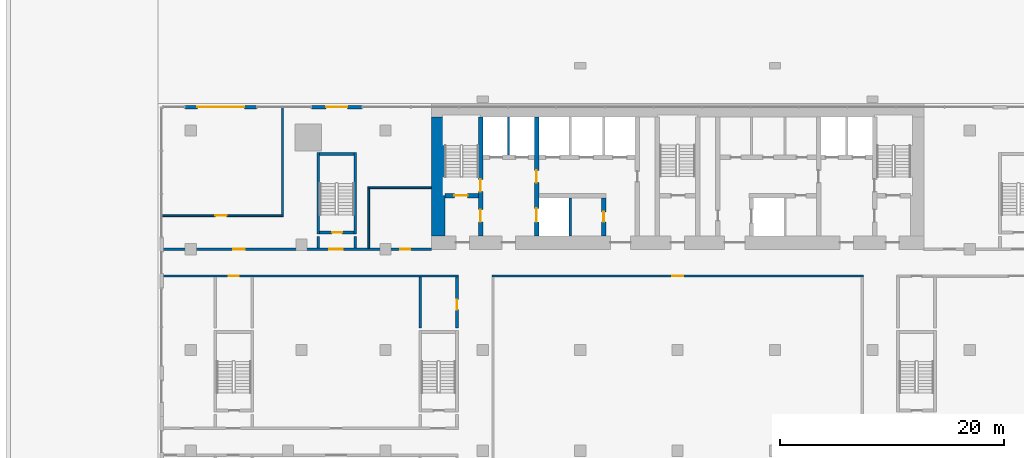
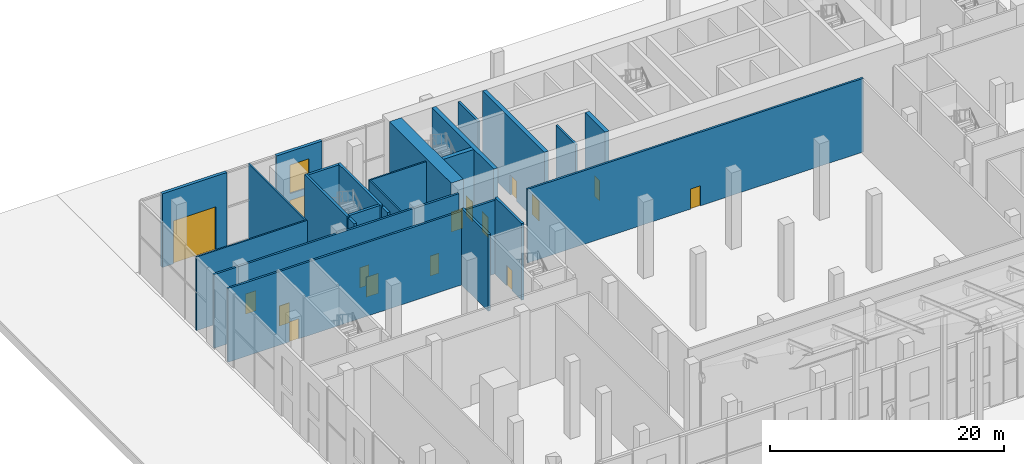
# One storey, part 24 of 31: 24 walls, 16 doors, 1 window, 17 openings.
"""IFC4 building model written with IfcOpenShell, lengths in metres."""

from ifc_helpers import new_model, si_unit, direction, frame, frame_2d, origin, place, context, subcontext, project, spatial, rectangle, extrude, material, layer, layer_set, layer_usage, type_object, element, fill, save


model = new_model("IFC4")

# Units and contexts
model_context = context("Model", 3, precision=1e-05, world=origin(), true_north=direction((0.0, 1.0)))
body_context = subcontext(model_context, "Body", "Model", "MODEL_VIEW")
ifc_project = project(units=[si_unit("LENGTHUNIT", "METRE"), si_unit("AREAUNIT", "SQUARE_METRE"), si_unit("VOLUMEUNIT", "CUBIC_METRE"), si_unit("PLANEANGLEUNIT", "RADIAN"), si_unit("MASSUNIT", "GRAM", prefix="KILO")], contexts=[model_context])

# Site, building, storey
site_placement = place(None, origin())
site = spatial("IfcSite", under=ifc_project, at=site_placement, CompositionType="ELEMENT")
building_placement = place(site_placement, origin())
building = spatial("IfcBuilding", under=site, at=building_placement, Name="Bicima Exchange Tower", CompositionType="ELEMENT")
storey_placement = place(building_placement, origin())
storey = spatial("IfcBuildingStorey", under=building, at=storey_placement, Name="L00", CompositionType="ELEMENT", Elevation=0.0)

# Wall, openings, window, door
ifc_material_1 = material(Name="Concrete C40/50", Category="concrete")
ifc_layer_1 = layer(ifc_material_1, 0.3)
ifc_layer_set_1 = layer_set([ifc_layer_1], Name="Concrete C40/50")
ifc_layer_usage = layer_usage(ifc_layer_set_1, "AXIS2", "POSITIVE", -0.15)
wall_type_1 = type_object("IfcWallType", Name="Entrance frame wall 300", PredefinedType="STANDARD", material=ifc_layer_set_1)
wall_1_placement = place(storey_placement, frame((-32.699951171875, -0.300048828125, 0.0), z_axis=(0.0, 0.0, 1.0), x_axis=(1.0, 0.0, 0.0)))
wall_1 = element("IfcWall", 1, at=wall_1_placement, inside=storey, type_object=wall_type_1, material=ifc_layer_usage, Name="Entrance frame wall L00 north 6", PredefinedType="STANDARD", context=body_context, shape_type="SweptSolid", body=[
    extrude(rectangle(XDim=4.5, YDim=0.300048828125, at=frame_2d((2.25, 0.0))), origin(), (0.0, 0.0, 1.0), 7.699951171875),
])
opening_1_placement = place(wall_1_placement, frame((1.300048828125, 0.0, 0.0)))
opening_1 = element("IfcOpeningElement", 2, at=opening_1_placement, cuts=wall_1, Name="Opening DX2", PredefinedType="OPENING", context=body_context, shape_type="SweptSolid", body=[
    extrude(rectangle(XDim=1.89990234375, YDim=2.60009765625, at=frame_2d((0.949951171875, 1.300048828125))), frame((0.0, 0.162109375, 0.0), z_axis=(0.0, -1.0, 0.0), x_axis=(1.0, 0.0, 0.0)), (0.0, 0.0, 1.0), 0.323974609375),
])
opening_2_placement = place(wall_1_placement, frame((1.300048828125, 0.0, 3.300048828125)))
opening_2 = element("IfcOpeningElement", 3, at=opening_2_placement, cuts=wall_1, Name="Opening WX1", PredefinedType="OPENING", context=body_context, shape_type="SweptSolid", body=[
    extrude(rectangle(XDim=1.89990234375, YDim=3.0, at=frame_2d((0.949951171875, 1.5))), frame((0.0, 0.162109375, 0.0), z_axis=(0.0, -1.0, 0.0), x_axis=(1.0, 0.0, 0.0)), (0.0, 0.0, 1.0), 0.323974609375),
])
ifc_material_2 = material(Name="Clear low-iron glass", Category="glass")
window_type = type_object("IfcWindowType", Name="Entrance transom light 1900 x 3000", PartitioningType="SINGLE_PANEL", PredefinedType="WINDOW", material=ifc_material_2)
window_placement = place(opening_2_placement, origin())
window = element("IfcWindow", 4, at=window_placement, inside=storey, type_object=window_type, Name="Entrance transom light L00 north 6", OverallHeight=3.0, OverallWidth=1.89990234375, PartitioningType="SINGLE_PANEL", PredefinedType="WINDOW", context=body_context, shape_type="SweptSolid", body=[
    extrude(rectangle(XDim=1.89990234375, YDim=3.0, at=frame_2d((0.949951171875, 1.5))), frame((0.0, 0.030029296875, 0.0), z_axis=(0.0, -1.0, 0.0), x_axis=(1.0, 0.0, 0.0)), (0.0, 0.0, 1.0), 0.06005859375),
])
fill(opening_2, window)
ifc_material_3 = material(Name="Anodised bronze aluminium and bonded safety glass", Category="aluminium")
door_type_1 = type_object("IfcDoorType", Name="Exit door, double leaf 1900 x 2600", OperationType="DOUBLE_DOOR_DOUBLE_SWING", PredefinedType="DOOR", material=ifc_material_3)
door_1_placement = place(opening_1_placement, origin())
door_1 = element("IfcDoor", 5, at=door_1_placement, inside=storey, type_object=door_type_1, Name="Exit door L00 north 6", OperationType="SINGLE_SWING_LEFT", OverallHeight=2.60009765625, OverallWidth=1.89990234375, PredefinedType="DOOR", context=body_context, shape_type="SweptSolid", body=[
    extrude(rectangle(XDim=1.89990234375, YDim=2.60009765625, at=frame_2d((0.949951171875, 1.300048828125))), frame((0.0, 0.02490234375, 0.0), z_axis=(0.0, -1.0, 0.0), x_axis=(1.0, 0.0, 0.0)), (0.0, 0.0, 1.0), 0.050048828125),
])
fill(opening_1, door_1)

# Wall, opening, door
wall_2_placement = place(storey_placement, frame((-44.0, -0.300048828125, 0.0), z_axis=(0.0, 0.0, 1.0), x_axis=(1.0, 0.0, 0.0)))
wall_2 = element("IfcWall", 6, at=wall_2_placement, inside=storey, type_object=wall_type_1, material=ifc_layer_usage, Name="Loading dock frame wall L00", PredefinedType="STANDARD", context=body_context, shape_type="SweptSolid", body=[
    extrude(rectangle(XDim=6.39990234375, YDim=0.300048828125, at=frame_2d((3.199951171875, 0.0))), origin(), (0.0, 0.0, 1.0), 7.699951171875),
])
opening_3_placement = place(wall_2_placement, frame((1.10009765625, 0.0, 0.0)))
opening_3 = element("IfcOpeningElement", 7, at=opening_3_placement, cuts=wall_2, Name="Opening VG42", PredefinedType="OPENING", context=body_context, shape_type="SweptSolid", body=[
    extrude(rectangle(XDim=4.199951171875, YDim=4.5, at=frame_2d((2.10009765625, 2.25))), frame((0.0, 0.162109375, 0.0), z_axis=(0.0, -1.0, 0.0), x_axis=(1.0, 0.0, 0.0)), (0.0, 0.0, 1.0), 0.323974609375),
])
ifc_material_4 = material(Name="Steel roller shutter", Category="steel")
door_type_2 = type_object("IfcDoorType", Name="Loading dock roller door 4200 x 4500", OperationType="ROLLINGUP", PredefinedType="GATE", material=ifc_material_4)
door_2_placement = place(opening_3_placement, origin())
door_2 = element("IfcDoor", 8, at=door_2_placement, inside=storey, type_object=door_type_2, Name="Loading dock door L00", OperationType="SINGLE_SWING_LEFT", OverallHeight=4.5, OverallWidth=4.199951171875, PredefinedType="GATE", context=body_context, shape_type="SweptSolid", body=[
    extrude(rectangle(XDim=4.199951171875, YDim=4.5, at=frame_2d((2.10009765625, 2.25))), frame((0.0, 0.02490234375, 0.0), z_axis=(0.0, -1.0, 0.0), x_axis=(1.0, 0.0, 0.0)), (0.0, 0.0, 1.0), 0.050048828125),
])
fill(opening_3, door_2)

# Walls
ifc_material_5 = material(Name="Gypsum board partition")
ifc_layer_2 = layer(ifc_material_5, 0.199951171875)
ifc_layer_set_2 = layer_set([ifc_layer_2], Name="Gypsum board partition")
wall_type_2 = type_object("IfcWallType", Name="Fire-rated gypsum partition 200 EI120", PredefinedType="PARTITIONING", material=ifc_layer_set_2)
for number, where, z_axis, x_axis, name in (
    (9, (-15.10009765625, -4.60009765625, 0.0), (0.0, 0.0, 1.0), (0.0, 1.0, 0.0), "partition wall 9"),
    (10, (-9.60009765625, -11.800048828125, 0.0), (0.0, 0.0, 1.0), (0.0, 1.0, 0.0), "partition wall 11"),
):
    element("IfcWall", number, at=place(storey_placement, frame(where, z_axis=z_axis, x_axis=x_axis)), inside=storey, type_object=wall_type_2, Name=name, PredefinedType="PARTITIONING", context=body_context, shape_type="SweptSolid", body=[
        extrude(rectangle(XDim=3.400146484375, YDim=0.199951171875, at=frame_2d((1.7001953125, 0.0))), origin(), (0.0, 0.0, 1.0), 7.699951171875),
    ])

# Wall, opening, door
ifc_layer_3 = layer(ifc_material_5, 0.199951171875)
ifc_layer_set_3 = layer_set([ifc_layer_3], Name="Gypsum board partition")
wall_type_3 = type_object("IfcWallType", Name="Fire-rated gypsum partition 200 EI60", PredefinedType="PARTITIONING", material=ifc_layer_set_3)
wall_3_placement = place(storey_placement, frame((-46.18994140625, -15.39990234375, 0.0), z_axis=(0.0, 0.0, 1.0), x_axis=(1.0, 0.0, 0.0)))
wall_3 = element("IfcWall", 11, at=wall_3_placement, inside=storey, type_object=wall_type_3, Name="partition wall 17", PredefinedType="PARTITIONING", context=body_context, shape_type="SweptSolid", body=[
    extrude(rectangle(XDim=26.614990234375, YDim=0.199951171875, at=frame_2d((13.3076171875, 0.0))), origin(), (0.0, 0.0, 1.0), 7.699951171875),
])
opening_4_placement = place(wall_3_placement, frame((6.090087890625, 0.0, 0.0)))
opening_4 = element("IfcOpeningElement", 12, at=opening_4_placement, cuts=wall_3, Name="Opening L00-021", PredefinedType="OPENING", context=body_context, shape_type="SweptSolid", body=[
    extrude(rectangle(XDim=0.89990234375, YDim=2.10009765625, at=frame_2d((0.449951171875, 1.050048828125))), frame((0.0, 0.11181640625, 0.0), z_axis=(0.0, -1.0, 0.0), x_axis=(1.0, 0.0, 0.0)), (0.0, 0.0, 1.0), 0.223876953125),
])
ifc_material_6 = material(Name="Steel fire door leaf", Category="steel")
door_type_3 = type_object("IfcDoorType", Name="Door 900 swing FD30S", OperationType="SINGLE_SWING_LEFT", PredefinedType="DOOR", material=ifc_material_6)
door_3_placement = place(opening_4_placement, frame((0.89990234375, 0.0, 0.0), z_axis=(0.0, 0.0, 1.0), x_axis=(-1.0, 0.0, 0.0)))
door_3 = element("IfcDoor", 13, at=door_3_placement, inside=storey, type_object=door_type_3, Name="Door", OperationType="SINGLE_SWING_RIGHT", OverallHeight=2.10009765625, OverallWidth=0.89990234375, PredefinedType="DOOR", context=body_context, shape_type="SweptSolid", body=[
    extrude(rectangle(XDim=0.89990234375, YDim=2.10009765625, at=frame_2d((0.449951171875, 1.050048828125))), frame((0.0, 0.02490234375, 0.0), z_axis=(0.0, -1.0, 0.0), x_axis=(1.0, 0.0, 0.0)), (0.0, 0.0, 1.0), 0.050048828125),
])
fill(opening_4, door_3)

wall_4_placement = place(storey_placement, frame((-16.60009765625, -15.39990234375, 0.0), z_axis=(0.0, 0.0, 1.0), x_axis=(1.0, 0.0, 0.0)))
wall_4 = element("IfcWall", 14, at=wall_4_placement, inside=storey, type_object=wall_type_3, Name="partition wall 18", PredefinedType="PARTITIONING", context=body_context, shape_type="SweptSolid", body=[
    extrude(rectangle(XDim=33.2001953125, YDim=0.199951171875, at=frame_2d((16.60009765625, 0.0))), origin(), (0.0, 0.0, 1.0), 7.699951171875),
])
opening_5_placement = place(wall_4_placement, frame((16.10009765625, 0.0, 0.0)))
opening_5 = element("IfcOpeningElement", 15, at=opening_5_placement, cuts=wall_4, Name="Opening L00-014", PredefinedType="OPENING", context=body_context, shape_type="SweptSolid", body=[
    extrude(rectangle(XDim=1.0, YDim=2.10009765625, at=frame_2d((0.5, 1.050048828125))), frame((0.0, 0.11181640625, 0.0), z_axis=(0.0, -1.0, 0.0), x_axis=(1.0, 0.0, 0.0)), (0.0, 0.0, 1.0), 0.223876953125),
])
door_type_4 = type_object("IfcDoorType", Name="Door 1000 swing FD30S", OperationType="SINGLE_SWING_LEFT", PredefinedType="DOOR", material=ifc_material_6)
door_4_placement = place(opening_5_placement, frame((1.0, 0.0, 0.0), z_axis=(0.0, 0.0, 1.0), x_axis=(-1.0, 0.0, 0.0)))
door_4 = element("IfcDoor", 16, at=door_4_placement, inside=storey, type_object=door_type_4, Name="Door", OperationType="SINGLE_SWING_RIGHT", OverallHeight=2.10009765625, OverallWidth=1.0, PredefinedType="DOOR", context=body_context, shape_type="SweptSolid", body=[
    extrude(rectangle(XDim=1.0, YDim=2.10009765625, at=frame_2d((0.5, 1.050048828125))), frame((0.0, 0.02490234375, 0.0), z_axis=(0.0, -1.0, 0.0), x_axis=(1.0, 0.0, 0.0)), (0.0, 0.0, 1.0), 0.050048828125),
])
fill(opening_5, door_4)

# Wall, openings, doors
wall_5_placement = place(storey_placement, frame((-46.18994140625, -13.0, 0.0), z_axis=(0.0, 0.0, 1.0), x_axis=(1.0, 0.0, 0.0)))
wall_5 = element("IfcWall", 17, at=wall_5_placement, inside=storey, type_object=wall_type_3, Name="partition wall 21", PredefinedType="PARTITIONING", context=body_context, shape_type="SweptSolid", body=[
    extrude(rectangle(XDim=24.18994140625, YDim=0.199951171875, at=frame_2d((12.094970703125, 0.0))), origin(), (0.0, 0.0, 1.0), 7.699951171875),
])
opening_6_placement = place(wall_5_placement, frame((15.090087890625, 0.0, 0.0)))
opening_6 = element("IfcOpeningElement", 18, at=opening_6_placement, cuts=wall_5, Name="Opening L00-009", PredefinedType="OPENING", context=body_context, shape_type="SweptSolid", body=[
    extrude(rectangle(XDim=1.199951171875, YDim=2.10009765625, at=frame_2d((0.60009765625, 1.050048828125))), frame((0.0, 0.11181640625, 0.0), z_axis=(0.0, -1.0, 0.0), x_axis=(1.0, 0.0, 0.0)), (0.0, 0.0, 1.0), 0.223876953125),
])
opening_7_placement = place(wall_5_placement, frame((21.389892578125, 0.0, 0.0)))
opening_7 = element("IfcOpeningElement", 19, at=opening_7_placement, cuts=wall_5, Name="Opening L00-013", PredefinedType="OPENING", context=body_context, shape_type="SweptSolid", body=[
    extrude(rectangle(XDim=0.89990234375, YDim=2.10009765625, at=frame_2d((0.449951171875, 1.050048828125))), frame((0.0, 0.11181640625, 0.0), z_axis=(0.0, -1.0, 0.0), x_axis=(1.0, 0.0, 0.0)), (0.0, 0.0, 1.0), 0.223876953125),
])
opening_8_placement = place(wall_5_placement, frame((6.5, 0.0, 0.0)))
opening_8 = element("IfcOpeningElement", 20, at=opening_8_placement, cuts=wall_5, Name="Opening L00-016", PredefinedType="OPENING", context=body_context, shape_type="SweptSolid", body=[
    extrude(rectangle(XDim=1.0, YDim=2.10009765625, at=frame_2d((0.5, 1.050048828125))), frame((0.0, 0.11181640625, 0.0), z_axis=(0.0, -1.0, 0.0), x_axis=(1.0, 0.0, 0.0)), (0.0, 0.0, 1.0), 0.223876953125),
])
door_5_placement = place(opening_8_placement, origin())
door_5 = element("IfcDoor", 21, at=door_5_placement, inside=storey, type_object=door_type_4, Name="Door", OperationType="SINGLE_SWING_LEFT", OverallHeight=2.10009765625, OverallWidth=1.0, PredefinedType="DOOR", context=body_context, shape_type="SweptSolid", body=[
    extrude(rectangle(XDim=1.0, YDim=2.10009765625, at=frame_2d((0.5, 1.050048828125))), frame((0.0, 0.02490234375, 0.0), z_axis=(0.0, -1.0, 0.0), x_axis=(1.0, 0.0, 0.0)), (0.0, 0.0, 1.0), 0.050048828125),
])
fill(opening_8, door_5)
door_type_5 = type_object("IfcDoorType", Name="Door 1200 swing FD30S", OperationType="SINGLE_SWING_LEFT", PredefinedType="DOOR", material=ifc_material_6)
door_6_placement = place(opening_6_placement, origin())
door_6 = element("IfcDoor", 22, at=door_6_placement, inside=storey, type_object=door_type_5, Name="Door", OperationType="SINGLE_SWING_RIGHT", OverallHeight=2.10009765625, OverallWidth=1.199951171875, PredefinedType="DOOR", context=body_context, shape_type="SweptSolid", body=[
    extrude(rectangle(XDim=1.199951171875, YDim=2.10009765625, at=frame_2d((0.60009765625, 1.050048828125))), frame((0.0, 0.02490234375, 0.0), z_axis=(0.0, -1.0, 0.0), x_axis=(1.0, 0.0, 0.0)), (0.0, 0.0, 1.0), 0.050048828125),
])
fill(opening_6, door_6)
door_7_placement = place(opening_7_placement, origin())
door_7 = element("IfcDoor", 23, at=door_7_placement, inside=storey, type_object=door_type_3, Name="Door", OperationType="SINGLE_SWING_LEFT", OverallHeight=2.10009765625, OverallWidth=0.89990234375, PredefinedType="DOOR", context=body_context, shape_type="SweptSolid", body=[
    extrude(rectangle(XDim=0.89990234375, YDim=2.10009765625, at=frame_2d((0.449951171875, 1.050048828125))), frame((0.0, 0.02490234375, 0.0), z_axis=(0.0, -1.0, 0.0), x_axis=(1.0, 0.0, 0.0)), (0.0, 0.0, 1.0), 0.050048828125),
])
fill(opening_7, door_7)

# Wall, opening, door
ifc_layer_4 = layer(ifc_material_5, 0.14990234375)
ifc_layer_set_4 = layer_set([ifc_layer_4], Name="Gypsum board partition")
wall_type_4 = type_object("IfcWallType", Name="Gypsum partition 150", PredefinedType="PARTITIONING", material=ifc_layer_set_4)
wall_6_placement = place(storey_placement, frame((-46.18994140625, -10.0, 0.0), z_axis=(0.0, 0.0, 1.0), x_axis=(1.0, 0.0, 0.0)))
wall_6 = element("IfcWall", 24, at=wall_6_placement, inside=storey, type_object=wall_type_4, Name="partition wall 25", PredefinedType="PARTITIONING", context=body_context, shape_type="SweptSolid", body=[
    extrude(rectangle(XDim=10.96484375, YDim=0.14990234375, at=frame_2d((5.482421875, 0.0))), origin(), (0.0, 0.0, 1.0), 7.699951171875),
])
opening_9_placement = place(wall_6_placement, frame((4.89990234375, 0.0, 0.0)))
opening_9 = element("IfcOpeningElement", 25, at=opening_9_placement, cuts=wall_6, Name="Opening L00-018", PredefinedType="OPENING", context=body_context, shape_type="SweptSolid", body=[
    extrude(rectangle(XDim=1.0, YDim=2.10009765625, at=frame_2d((0.5, 1.050048828125))), frame((0.0, 0.0869140625, 0.0), z_axis=(0.0, -1.0, 0.0), x_axis=(1.0, 0.0, 0.0)), (0.0, 0.0, 1.0), 0.173828125),
])
ifc_material_7 = material(Name="Timber door leaf", Category="wood")
door_type_6 = type_object("IfcDoorType", Name="Door 1000 swing", OperationType="SINGLE_SWING_LEFT", PredefinedType="DOOR", material=ifc_material_7)
door_8_placement = place(opening_9_placement, origin())
door_8 = element("IfcDoor", 26, at=door_8_placement, inside=storey, type_object=door_type_6, Name="Door", OperationType="SINGLE_SWING_RIGHT", OverallHeight=2.10009765625, OverallWidth=1.0, PredefinedType="DOOR", context=body_context, shape_type="SweptSolid", body=[
    extrude(rectangle(XDim=1.0, YDim=2.10009765625, at=frame_2d((0.5, 1.050048828125))), frame((0.0, 0.02490234375, 0.0), z_axis=(0.0, -1.0, 0.0), x_axis=(1.0, 0.0, 0.0)), (0.0, 0.0, 1.0), 0.050048828125),
])
fill(opening_9, door_8)

# Walls
wall_7_placement = place(storey_placement, frame((-27.675048828125, -7.5, 0.0), z_axis=(0.0, 0.0, 1.0), x_axis=(1.0, 0.0, 0.0)))
element("IfcWall", 27, at=wall_7_placement, inside=storey, type_object=wall_type_4, Name="partition wall 26", PredefinedType="PARTITIONING", context=body_context, shape_type="SweptSolid", body=[
    extrude(rectangle(XDim=5.675048828125, YDim=0.14990234375, at=frame_2d((2.83740234375, 0.0))), origin(), (0.0, 0.0, 1.0), 7.699951171875),
])
wall_8_placement = place(storey_placement, frame((-35.300048828125, -9.925048828125, 0.0), z_axis=(0.0, 0.0, 1.0), x_axis=(0.0, 1.0, 0.0)))
element("IfcWall", 28, at=wall_8_placement, inside=storey, type_object=wall_type_4, Name="partition wall 35", PredefinedType="PARTITIONING", context=body_context, shape_type="SweptSolid", body=[
    extrude(rectangle(XDim=9.715087890625, YDim=0.14990234375, at=frame_2d((4.857421875, 0.0))), origin(), (0.0, 0.0, 1.0), 7.699951171875),
])
wall_9_placement = place(storey_placement, frame((-27.60009765625, -12.89990234375, 0.0), z_axis=(0.0, 0.0, 1.0), x_axis=(0.0, 1.0, 0.0)))
element("IfcWall", 29, at=wall_9_placement, inside=storey, type_object=wall_type_4, Name="partition wall 38", PredefinedType="PARTITIONING", context=body_context, shape_type="SweptSolid", body=[
    extrude(rectangle(XDim=5.324951171875, YDim=0.14990234375, at=frame_2d((2.66259765625, 0.0))), origin(), (0.0, 0.0, 1.0), 7.699951171875),
])
ifc_material_8 = material(Name="Concrete C60/75", Category="concrete")
ifc_layer_5 = layer(ifc_material_8, 1.199951171875)
ifc_layer_set_5 = layer_set([ifc_layer_5], Name="Concrete C60/75")
wall_type_5 = type_object("IfcWallType", Name="RC core wall 1200 C60/75", PredefinedType="SHEAR", material=ifc_layer_set_5)
wall_10_placement = place(storey_placement, frame((-21.39990234375, -11.800048828125, 0.0), z_axis=(0.0, 0.0, 1.0), x_axis=(0.0, 1.0, 0.0)))
element("IfcWall", 30, at=wall_10_placement, inside=storey, type_object=wall_type_5, Name="Core wall west", PredefinedType="SHEAR", context=body_context, shape_type="SweptSolid", body=[
    extrude(rectangle(XDim=10.60009765625, YDim=1.199951171875, at=frame_2d((5.300048828125, 0.0))), origin(), (0.0, 0.0, 1.0), 8.0),
])
ifc_material_9 = material(Name="Concrete C50/60", Category="concrete")
ifc_layer_6 = layer(ifc_material_9, 0.25)
ifc_layer_set_6 = layer_set([ifc_layer_6], Name="Concrete C50/60")
wall_type_6 = type_object("IfcWallType", Name="RC core wall 250 C50/60", PredefinedType="SHEAR", material=ifc_layer_set_6)
for number, where, z_axis, x_axis, name in (
    (31, (-32.10009765625, -12.89990234375, 0.0), (0.0, 0.0, 1.0), (0.0, 1.0, 0.0), "stair wall 36"),
    (32, (-28.800048828125, -12.89990234375, 0.0), (0.0, 0.0, 1.0), (0.0, 1.0, 0.0), "stair wall 37"),
):
    element("IfcWall", number, at=place(storey_placement, frame(where, z_axis=z_axis, x_axis=x_axis)), inside=storey, type_object=wall_type_6, Name=name, PredefinedType="SHEAR", context=body_context, shape_type="SweptSolid", body=[
        extrude(rectangle(XDim=1.0498046875, YDim=0.25, at=frame_2d((0.52490234375, 0.0))), origin(), (0.0, 0.0, 1.0), 8.0),
    ])
wall_11_placement = place(storey_placement, frame((-23.0, -20.050048828125, 0.0), z_axis=(0.0, 0.0, 1.0), x_axis=(0.0, 1.0, 0.0)))
element("IfcWall", 33, at=wall_11_placement, inside=storey, type_object=wall_type_6, Name="stair wall 40", PredefinedType="SHEAR", context=body_context, shape_type="SweptSolid", body=[
    extrude(rectangle(XDim=4.550048828125, YDim=0.25, at=frame_2d((2.27490234375, 0.0))), origin(), (0.0, 0.0, 1.0), 8.0),
])

# Wall, opening, door
wall_12_placement = place(storey_placement, frame((-19.699951171875, -20.050048828125, 0.0), z_axis=(0.0, 0.0, 1.0), x_axis=(0.0, 1.0, 0.0)))
wall_12 = element("IfcWall", 34, at=wall_12_placement, inside=storey, type_object=wall_type_6, Name="stair wall 42", PredefinedType="SHEAR", context=body_context, shape_type="SweptSolid", body=[
    extrude(rectangle(XDim=4.550048828125, YDim=0.25, at=frame_2d((2.27490234375, 0.0))), origin(), (0.0, 0.0, 1.0), 8.0),
])
opening_10_placement = place(wall_12_placement, frame((1.64990234375, 0.0, 0.0)))
opening_10 = element("IfcOpeningElement", 35, at=opening_10_placement, cuts=wall_12, Name="Opening L00-025", PredefinedType="OPENING", context=body_context, shape_type="SweptSolid", body=[
    extrude(rectangle(XDim=0.89990234375, YDim=2.10009765625, at=frame_2d((0.449951171875, 1.050048828125))), frame((0.0, 0.136962890625, 0.0), z_axis=(0.0, -1.0, 0.0), x_axis=(1.0, 0.0, 0.0)), (0.0, 0.0, 1.0), 0.27392578125),
])
door_type_7 = type_object("IfcDoorType", Name="Door 900 swing FD60S", OperationType="SINGLE_SWING_LEFT", PredefinedType="DOOR", material=ifc_material_6)
door_9_placement = place(opening_10_placement, origin())
door_9 = element("IfcDoor", 36, at=door_9_placement, inside=storey, type_object=door_type_7, Name="Door", OperationType="SINGLE_SWING_LEFT", OverallHeight=2.10009765625, OverallWidth=0.89990234375, PredefinedType="DOOR", context=body_context, shape_type="SweptSolid", body=[
    extrude(rectangle(XDim=0.89990234375, YDim=2.10009765625, at=frame_2d((0.449951171875, 1.050048828125))), frame((0.0, 0.02490234375, 0.0), z_axis=(0.0, -1.0, 0.0), x_axis=(1.0, 0.0, 0.0)), (0.0, 0.0, 1.0), 0.050048828125),
])
fill(opening_10, door_9)

ifc_layer_7 = layer(ifc_material_9, 0.39990234375)
ifc_layer_set_7 = layer_set([ifc_layer_7], Name="Concrete C50/60")
wall_type_7 = type_object("IfcWallType", Name="RC core wall 400 C50/60", PredefinedType="SHEAR", material=ifc_layer_set_7)
wall_13_placement = place(storey_placement, frame((-20.800048828125, -8.199951171875, 0.0), z_axis=(0.0, 0.0, 1.0), x_axis=(1.0, 0.0, 0.0)))
wall_13 = element("IfcWall", 37, at=wall_13_placement, inside=storey, type_object=wall_type_7, Name="stair wall 1", PredefinedType="SHEAR", context=body_context, shape_type="SweptSolid", body=[
    extrude(rectangle(XDim=3.0, YDim=0.39990234375, at=frame_2d((1.5, 0.0))), origin(), (0.0, 0.0, 1.0), 8.0),
])
opening_11_placement = place(wall_13_placement, frame((0.85009765625, 0.0, 0.0)))
opening_11 = element("IfcOpeningElement", 38, at=opening_11_placement, cuts=wall_13, Name="Opening L00-C01", PredefinedType="OPENING", context=body_context, shape_type="SweptSolid", body=[
    extrude(rectangle(XDim=1.199951171875, YDim=2.10009765625, at=frame_2d((0.60009765625, 1.050048828125))), frame((0.0, 0.2119140625, 0.0), z_axis=(0.0, -1.0, 0.0), x_axis=(1.0, 0.0, 0.0)), (0.0, 0.0, 1.0), 0.423828125),
])
door_type_8 = type_object("IfcDoorType", Name="Door 1200 swing FD60S", OperationType="SINGLE_SWING_LEFT", PredefinedType="DOOR", material=ifc_material_6)
door_10_placement = place(opening_11_placement, origin())
door_10 = element("IfcDoor", 39, at=door_10_placement, inside=storey, type_object=door_type_8, Name="Core door", OperationType="SINGLE_SWING_LEFT", OverallHeight=2.10009765625, OverallWidth=1.199951171875, PredefinedType="DOOR", context=body_context, shape_type="SweptSolid", body=[
    extrude(rectangle(XDim=1.199951171875, YDim=2.10009765625, at=frame_2d((0.60009765625, 1.050048828125))), frame((0.0, 0.02490234375, 0.0), z_axis=(0.0, -1.0, 0.0), x_axis=(1.0, 0.0, 0.0)), (0.0, 0.0, 1.0), 0.050048828125),
])
fill(opening_11, door_10)

# Wall, openings, doors
wall_14_placement = place(storey_placement, frame((-17.60009765625, -11.800048828125, 0.0), z_axis=(0.0, 0.0, 1.0), x_axis=(0.0, 1.0, 0.0)))
wall_14 = element("IfcWall", 40, at=wall_14_placement, inside=storey, type_object=wall_type_7, Name="stair wall 8", PredefinedType="SHEAR", context=body_context, shape_type="SweptSolid", body=[
    extrude(rectangle(XDim=10.60009765625, YDim=0.39990234375, at=frame_2d((5.300048828125, 0.0))), origin(), (0.0, 0.0, 1.0), 8.0),
])
opening_12_placement = place(wall_14_placement, frame((1.25, 0.0, 0.0)))
opening_12 = element("IfcOpeningElement", 41, at=opening_12_placement, cuts=wall_14, Name="Opening L00-C02", PredefinedType="OPENING", context=body_context, shape_type="SweptSolid", body=[
    extrude(rectangle(XDim=1.10009765625, YDim=2.10009765625, at=frame_2d((0.550048828125, 1.050048828125))), frame((0.0, 0.2119140625, 0.0), z_axis=(0.0, -1.0, 0.0), x_axis=(1.0, 0.0, 0.0)), (0.0, 0.0, 1.0), 0.423828125),
])
opening_13_placement = place(wall_14_placement, frame((3.949951171875, 0.0, 0.0)))
opening_13 = element("IfcOpeningElement", 42, at=opening_13_placement, cuts=wall_14, Name="Opening L00-C06", PredefinedType="OPENING", context=body_context, shape_type="SweptSolid", body=[
    extrude(rectangle(XDim=1.10009765625, YDim=2.10009765625, at=frame_2d((0.550048828125, 1.050048828125))), frame((0.0, 0.2119140625, 0.0), z_axis=(0.0, -1.0, 0.0), x_axis=(1.0, 0.0, 0.0)), (0.0, 0.0, 1.0), 0.423828125),
])
door_type_9 = type_object("IfcDoorType", Name="Door 1100 swing FD60S", OperationType="SINGLE_SWING_LEFT", PredefinedType="DOOR", material=ifc_material_6)
door_11_placement = place(opening_12_placement, frame((1.10009765625, 0.0, 0.0), z_axis=(0.0, 0.0, 1.0), x_axis=(-1.0, 0.0, 0.0)))
door_11 = element("IfcDoor", 43, at=door_11_placement, inside=storey, type_object=door_type_9, Name="Core door", OperationType="SINGLE_SWING_LEFT", OverallHeight=2.10009765625, OverallWidth=1.10009765625, PredefinedType="DOOR", context=body_context, shape_type="SweptSolid", body=[
    extrude(rectangle(XDim=1.10009765625, YDim=2.10009765625, at=frame_2d((0.550048828125, 1.050048828125))), frame((0.0, 0.02490234375, 0.0), z_axis=(0.0, -1.0, 0.0), x_axis=(1.0, 0.0, 0.0)), (0.0, 0.0, 1.0), 0.050048828125),
])
fill(opening_12, door_11)
door_12_placement = place(opening_13_placement, frame((1.10009765625, 0.0, 0.0), z_axis=(0.0, 0.0, 1.0), x_axis=(-1.0, 0.0, 0.0)))
door_12 = element("IfcDoor", 44, at=door_12_placement, inside=storey, type_object=door_type_9, Name="Core door", OperationType="SINGLE_SWING_LEFT", OverallHeight=2.10009765625, OverallWidth=1.10009765625, PredefinedType="DOOR", context=body_context, shape_type="SweptSolid", body=[
    extrude(rectangle(XDim=1.10009765625, YDim=2.10009765625, at=frame_2d((0.550048828125, 1.050048828125))), frame((0.0, 0.02490234375, 0.0), z_axis=(0.0, -1.0, 0.0), x_axis=(1.0, 0.0, 0.0)), (0.0, 0.0, 1.0), 0.050048828125),
])
fill(opening_13, door_12)

ifc_layer_8 = layer(ifc_material_8, 0.39990234375)
ifc_layer_set_8 = layer_set([ifc_layer_8], Name="Concrete C60/75")
wall_type_8 = type_object("IfcWallType", Name="RC core wall 400 C60/75", PredefinedType="SHEAR", material=ifc_layer_set_8)
wall_15_placement = place(storey_placement, frame((-12.60009765625, -11.800048828125, 0.0), z_axis=(0.0, 0.0, 1.0), x_axis=(0.0, 1.0, 0.0)))
wall_15 = element("IfcWall", 45, at=wall_15_placement, inside=storey, type_object=wall_type_8, Name="shear wall 10", PredefinedType="SHEAR", context=body_context, shape_type="SweptSolid", body=[
    extrude(rectangle(XDim=10.60009765625, YDim=0.39990234375, at=frame_2d((5.300048828125, 0.0))), origin(), (0.0, 0.0, 1.0), 8.0),
])
opening_14_placement = place(wall_15_placement, frame((1.25, 0.0, 0.0)))
opening_14 = element("IfcOpeningElement", 46, at=opening_14_placement, cuts=wall_15, Name="Opening LD-SH1-L00", PredefinedType="OPENING", context=body_context, shape_type="SweptSolid", body=[
    extrude(rectangle(XDim=1.199951171875, YDim=2.10009765625, at=frame_2d((0.60009765625, 1.050048828125))), frame((0.0, 0.2119140625, 0.0), z_axis=(0.0, -1.0, 0.0), x_axis=(1.0, 0.0, 0.0)), (0.0, 0.0, 1.0), 0.423828125),
])
opening_15_placement = place(wall_15_placement, frame((4.75, 0.0, 0.0)))
opening_15 = element("IfcOpeningElement", 47, at=opening_15_placement, cuts=wall_15, Name="Opening L00-C07", PredefinedType="OPENING", context=body_context, shape_type="SweptSolid", body=[
    extrude(rectangle(XDim=1.10009765625, YDim=2.10009765625, at=frame_2d((0.550048828125, 1.050048828125))), frame((0.0, 0.2119140625, 0.0), z_axis=(0.0, -1.0, 0.0), x_axis=(1.0, 0.0, 0.0)), (0.0, 0.0, 1.0), 0.423828125),
])
door_13_placement = place(opening_15_placement, origin())
door_13 = element("IfcDoor", 48, at=door_13_placement, inside=storey, type_object=door_type_9, Name="Core door", OperationType="SINGLE_SWING_LEFT", OverallHeight=2.10009765625, OverallWidth=1.10009765625, PredefinedType="DOOR", context=body_context, shape_type="SweptSolid", body=[
    extrude(rectangle(XDim=1.10009765625, YDim=2.10009765625, at=frame_2d((0.550048828125, 1.050048828125))), frame((0.0, 0.02490234375, 0.0), z_axis=(0.0, -1.0, 0.0), x_axis=(1.0, 0.0, 0.0)), (0.0, 0.0, 1.0), 0.050048828125),
])
fill(opening_15, door_13)
ifc_material_10 = material(Name="Stainless steel", Category="steel")
door_type_10 = type_object("IfcDoorType", Name="Lift landing door 1200 sliding", OperationType="DOUBLE_DOOR_SLIDING", PredefinedType="DOOR", material=ifc_material_10)
door_14_placement = place(opening_14_placement, origin())
door_14 = element("IfcDoor", 49, at=door_14_placement, inside=storey, type_object=door_type_10, Name="Lift landing door SH1", OperationType="DOUBLE_DOOR_SLIDING", OverallHeight=2.10009765625, OverallWidth=1.199951171875, PredefinedType="DOOR", context=body_context, shape_type="SweptSolid", body=[
    extrude(rectangle(XDim=1.199951171875, YDim=2.10009765625, at=frame_2d((0.60009765625, 1.050048828125))), frame((0.0, 0.02490234375, 0.0), z_axis=(0.0, -1.0, 0.0), x_axis=(1.0, 0.0, 0.0)), (0.0, 0.0, 1.0), 0.050048828125),
])
fill(opening_14, door_14)

# Wall, opening, door
wall_16_placement = place(storey_placement, frame((-6.60009765625, -11.800048828125, 0.0), z_axis=(0.0, 0.0, 1.0), x_axis=(0.0, 1.0, 0.0)))
wall_16 = element("IfcWall", 50, at=wall_16_placement, inside=storey, type_object=wall_type_8, Name="shear wall 13", PredefinedType="SHEAR", context=body_context, shape_type="SweptSolid", body=[
    extrude(rectangle(XDim=3.400146484375, YDim=0.39990234375, at=frame_2d((1.7001953125, 0.0))), origin(), (0.0, 0.0, 1.0), 8.0),
])
opening_16_placement = place(wall_16_placement, frame((1.25, 0.0, 0.0)))
opening_16 = element("IfcOpeningElement", 51, at=opening_16_placement, cuts=wall_16, Name="Opening L00-C15", PredefinedType="OPENING", context=body_context, shape_type="SweptSolid", body=[
    extrude(rectangle(XDim=0.89990234375, YDim=2.10009765625, at=frame_2d((0.449951171875, 1.050048828125))), frame((0.0, 0.2119140625, 0.0), z_axis=(0.0, -1.0, 0.0), x_axis=(1.0, 0.0, 0.0)), (0.0, 0.0, 1.0), 0.423828125),
])
door_15_placement = place(opening_16_placement, origin())
door_15 = element("IfcDoor", 52, at=door_15_placement, inside=storey, type_object=door_type_3, Name="Core door", OperationType="SINGLE_SWING_LEFT", OverallHeight=2.10009765625, OverallWidth=0.89990234375, PredefinedType="DOOR", context=body_context, shape_type="SweptSolid", body=[
    extrude(rectangle(XDim=0.89990234375, YDim=2.10009765625, at=frame_2d((0.449951171875, 1.050048828125))), frame((0.0, 0.02490234375, 0.0), z_axis=(0.0, -1.0, 0.0), x_axis=(1.0, 0.0, 0.0)), (0.0, 0.0, 1.0), 0.050048828125),
])
fill(opening_16, door_15)

# Walls
ifc_layer_9 = layer(ifc_material_9, 0.25)
ifc_layer_set_9 = layer_set([ifc_layer_9], Name="Concrete C50/60")
wall_type_9 = type_object("IfcWallType", Name="RC stair enclosure wall 250 C50/60", PredefinedType="SHEAR", material=ifc_layer_set_9)
for number, where, z_axis, x_axis, name in (
    (53, (-32.10009765625, -11.625, 0.0), (0.0, 0.0, 1.0), (0.0, 1.0, 0.0), "West end exit stair wall W"),
    (54, (-28.800048828125, -11.625, 0.0), (0.0, 0.0, 1.0), (0.0, 1.0, 0.0), "West end exit stair wall E"),
):
    element("IfcWall", number, at=place(storey_placement, frame(where, z_axis=z_axis, x_axis=x_axis)), inside=storey, type_object=wall_type_9, Name=name, PredefinedType="SHEAR", context=body_context, shape_type="SweptSolid", body=[
        extrude(rectangle(XDim=7.25, YDim=0.25, at=frame_2d((3.625, 0.0))), origin(), (0.0, 0.0, 1.0), 8.0),
    ])

# Wall, opening, door
wall_17_placement = place(storey_placement, frame((-31.97509765625, -11.5, 0.0), z_axis=(0.0, 0.0, 1.0), x_axis=(1.0, 0.0, 0.0)))
wall_17 = element("IfcWall", 55, at=wall_17_placement, inside=storey, type_object=wall_type_9, Name="West end exit stair wall S", PredefinedType="SHEAR", context=body_context, shape_type="SweptSolid", body=[
    extrude(rectangle(XDim=3.050048828125, YDim=0.25, at=frame_2d((1.52490234375, 0.0))), origin(), (0.0, 0.0, 1.0), 8.0),
])
opening_17_placement = place(wall_17_placement, frame((1.10009765625, 0.0, 0.0)))
opening_17 = element("IfcOpeningElement", 56, at=opening_17_placement, cuts=wall_17, Name="Opening L00-010", PredefinedType="OPENING", context=body_context, shape_type="SweptSolid", body=[
    extrude(rectangle(XDim=0.89990234375, YDim=2.10009765625, at=frame_2d((0.449951171875, 1.050048828125))), frame((0.0, 0.136962890625, 0.0), z_axis=(0.0, -1.0, 0.0), x_axis=(1.0, 0.0, 0.0)), (0.0, 0.0, 1.0), 0.27392578125),
])
door_16_placement = place(opening_17_placement, origin())
door_16 = element("IfcDoor", 57, at=door_16_placement, inside=storey, type_object=door_type_7, Name="Door", OperationType="SINGLE_SWING_LEFT", OverallHeight=2.10009765625, OverallWidth=0.89990234375, PredefinedType="DOOR", context=body_context, shape_type="SweptSolid", body=[
    extrude(rectangle(XDim=0.89990234375, YDim=2.10009765625, at=frame_2d((0.449951171875, 1.050048828125))), frame((0.0, 0.02490234375, 0.0), z_axis=(0.0, -1.0, 0.0), x_axis=(1.0, 0.0, 0.0)), (0.0, 0.0, 1.0), 0.050048828125),
])
fill(opening_17, door_16)

# Wall
wall_18_placement = place(storey_placement, frame((-31.97509765625, -4.5, 0.0), z_axis=(0.0, 0.0, 1.0), x_axis=(1.0, 0.0, 0.0)))
element("IfcWall", 58, at=wall_18_placement, inside=storey, type_object=wall_type_9, Name="West end exit stair wall N", PredefinedType="SHEAR", context=body_context, shape_type="SweptSolid", body=[
    extrude(rectangle(XDim=3.050048828125, YDim=0.25, at=frame_2d((1.52490234375, 0.0))), origin(), (0.0, 0.0, 1.0), 8.0),
])

save(model, "model.ifc")
